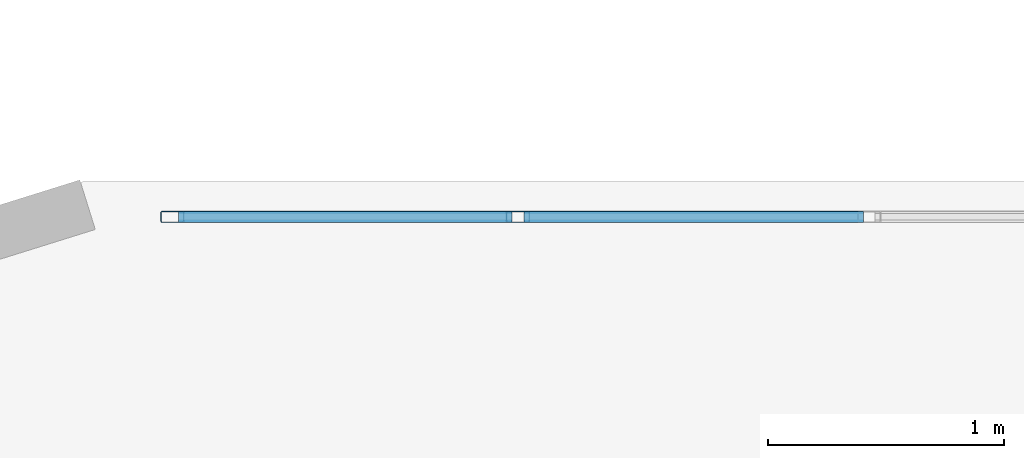
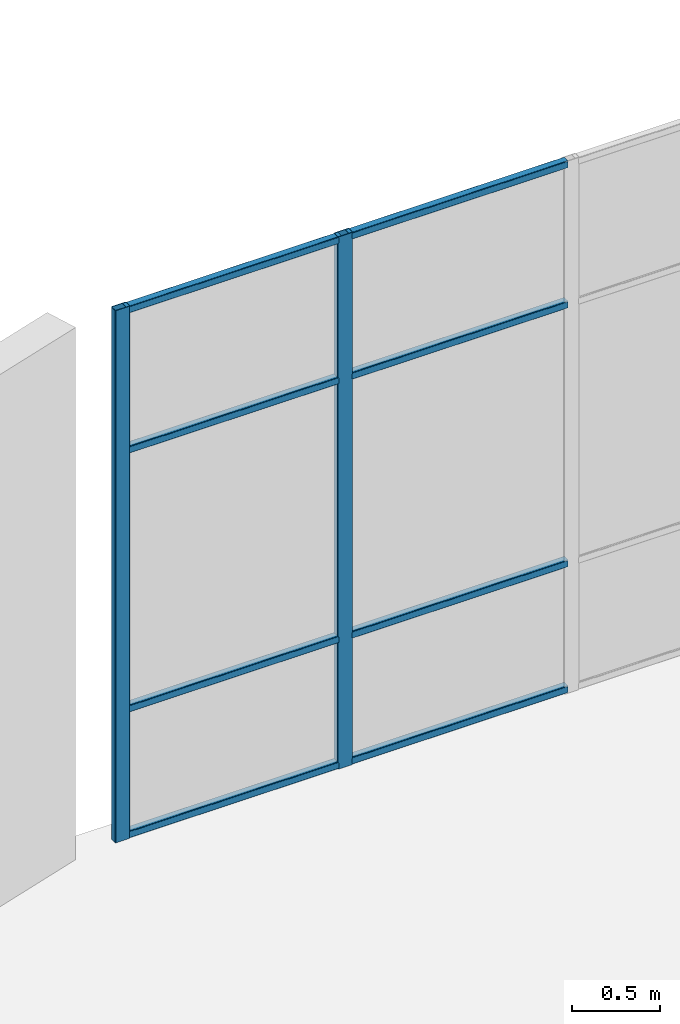
# One storey, part 4 of 65: 10 members, 1 element without a shape of its own.
"""IFC4 building model written with IfcOpenShell, lengths in metres."""

from ifc_helpers import new_model, si_unit, direction, frame, origin, origin_2d, place, context, subcontext, project, spatial, hollow_rectangle, extrude, material, layer, layer_set, material_profile, profile_set, type_object, element, aggregate, save


model = new_model("IFC4")

# Units and contexts
model_context = context("Model", 3, precision=1e-05, world=origin(), true_north=direction((0.0, 1.0)))
body_context = subcontext(model_context, "Body", "Model", "MODEL_VIEW")
ifc_project = project(units=[si_unit("LENGTHUNIT", "METRE"), si_unit("AREAUNIT", "SQUARE_METRE"), si_unit("VOLUMEUNIT", "CUBIC_METRE"), si_unit("PLANEANGLEUNIT", "RADIAN"), si_unit("MASSUNIT", "GRAM", prefix="KILO")], contexts=[model_context])

# Site, building, storey
site_placement = place(None, origin())
site = spatial("IfcSite", under=ifc_project, at=site_placement, CompositionType="ELEMENT")
building_placement = place(site_placement, origin())
building = spatial("IfcBuilding", under=site, at=building_placement, Name="Tuart Plaza Theatre", CompositionType="ELEMENT")
storey_placement = place(building_placement, frame((0.0, 0.0, 9.5)))
storey = spatial("IfcBuildingStorey", under=building, at=storey_placement, Name="L02", CompositionType="ELEMENT", Elevation=9.5)

# Curtain wall, members
ifc_material_1 = material(Name="Aluminium and glass", Category="aluminium")
ifc_layer = layer(ifc_material_1, 0.10009765625)
ifc_layer_set = layer_set([ifc_layer], Name="CURTAIN WALL 1500 module")
curtain_wall_type = type_object("IfcCurtainWallType", Name="CURTAIN WALL 1500 module", PredefinedType="NOTDEFINED", material=ifc_layer_set)
curtain_wall_placement = place(storey_placement, origin())
curtain_wall = element("IfcCurtainWall", 1, at=curtain_wall_placement, inside=storey, type_object=curtain_wall_type, Name="CW35", PredefinedType="NOTDEFINED")
ifc_material_2 = material(Name="Aluminium 6063-T5", Category="aluminium")
ifc_material_profile_1 = material_profile(ifc_material_2, hollow_rectangle(XDim=0.050048828125, YDim=0.10009765625, WallThickness=0.00390625, InnerFilletRadius=0.00390625, OuterFilletRadius=0.008056640625, at=origin_2d()), Name="RHS 100x50x4")
ifc_profile_set_1 = profile_set([ifc_material_profile_1], Name="Aluminium 6063-T5")
member_type_1 = type_object("IfcMemberType", Name="MULLION RHS 100x50x4", PredefinedType="MULLION", material=ifc_profile_set_1)
member_1_placement = place(storey_placement, frame((78.618896484375, 79.8369140625, 0.0), z_axis=(0.0, 0.0, 1.0), x_axis=(0.0, 1.0, 0.0)))
member_1 = element("IfcMember", 2, at=member_1_placement, type_object=member_type_1, Name="CW35 mullion 1", PredefinedType="MULLION", context=body_context, shape_type="SweptSolid", body=[
    extrude(hollow_rectangle(XDim=0.050048828125, YDim=0.10009765625, WallThickness=0.00390625, InnerFilletRadius=0.00390625, OuterFilletRadius=0.008056640625, at=origin_2d()), origin(), (0.0, 0.0, 1.0), 3.699951171875),
])
member_2_placement = place(storey_placement, frame((80.08349609375, 79.8369140625, 0.0), z_axis=(0.0, 0.0, 1.0), x_axis=(0.0, 1.0, 0.0)))
member_2 = element("IfcMember", 3, at=member_2_placement, type_object=member_type_1, Name="CW35 mullion 2", PredefinedType="MULLION", context=body_context, shape_type="SweptSolid", body=[
    extrude(hollow_rectangle(XDim=0.050048828125, YDim=0.10009765625, WallThickness=0.00390625, InnerFilletRadius=0.00390625, OuterFilletRadius=0.008056640625, at=origin_2d()), origin(), (0.0, 0.0, 1.0), 3.699951171875),
])
ifc_material_3 = material(Name="Aluminium 6063-T5", Category="aluminium")
ifc_material_profile_2 = material_profile(ifc_material_3, hollow_rectangle(XDim=0.050048828125, YDim=0.050048828125, WallThickness=0.00390625, InnerFilletRadius=0.00390625, OuterFilletRadius=0.008056640625, at=origin_2d()), Name="RHS 50x50x4")
ifc_profile_set_2 = profile_set([ifc_material_profile_2], Name="Aluminium 6063-T5")
member_type_2 = type_object("IfcMemberType", Name="TRANSOM RHS 50x50x4", PredefinedType="USERDEFINED", material=ifc_profile_set_2)
member_3_placement = place(storey_placement, frame((78.64404296875, 79.8369140625, 0.02490234375), z_axis=(1.0, 0.0, 0.0), x_axis=(0.0, 1.0, 0.0)))
member_3 = element("IfcMember", 4, at=member_3_placement, type_object=member_type_2, Name="CW35 transom 1.1", ObjectType="TRANSOM", PredefinedType="USERDEFINED", context=body_context, shape_type="SweptSolid", body=[
    extrude(hollow_rectangle(XDim=0.050048828125, YDim=0.050048828125, WallThickness=0.00390625, InnerFilletRadius=0.00390625, OuterFilletRadius=0.008056640625, at=origin_2d()), origin(), (0.0, 0.0, 1.0), 1.41455078125),
])
member_4_placement = place(storey_placement, frame((78.64404296875, 79.8369140625, 0.89990234375), z_axis=(1.0, 0.0, 0.0), x_axis=(0.0, 1.0, 0.0)))
member_4 = element("IfcMember", 5, at=member_4_placement, type_object=member_type_2, Name="CW35 transom 1.2", ObjectType="TRANSOM", PredefinedType="USERDEFINED", context=body_context, shape_type="SweptSolid", body=[
    extrude(hollow_rectangle(XDim=0.050048828125, YDim=0.050048828125, WallThickness=0.00390625, InnerFilletRadius=0.00390625, OuterFilletRadius=0.008056640625, at=origin_2d()), origin(), (0.0, 0.0, 1.0), 1.41455078125),
])
member_5_placement = place(storey_placement, frame((78.64404296875, 79.8369140625, 2.699951171875), z_axis=(1.0, 0.0, 0.0), x_axis=(0.0, 1.0, 0.0)))
member_5 = element("IfcMember", 6, at=member_5_placement, type_object=member_type_2, Name="CW35 transom 1.3", ObjectType="TRANSOM", PredefinedType="USERDEFINED", context=body_context, shape_type="SweptSolid", body=[
    extrude(hollow_rectangle(XDim=0.050048828125, YDim=0.050048828125, WallThickness=0.00390625, InnerFilletRadius=0.00390625, OuterFilletRadius=0.008056640625, at=origin_2d()), origin(), (0.0, 0.0, 1.0), 1.41455078125),
])
member_6_placement = place(storey_placement, frame((78.64404296875, 79.8369140625, 3.675048828125), z_axis=(1.0, 0.0, 0.0), x_axis=(0.0, 1.0, 0.0)))
member_6 = element("IfcMember", 7, at=member_6_placement, type_object=member_type_2, Name="CW35 transom 1.4", ObjectType="TRANSOM", PredefinedType="USERDEFINED", context=body_context, shape_type="SweptSolid", body=[
    extrude(hollow_rectangle(XDim=0.050048828125, YDim=0.050048828125, WallThickness=0.00390625, InnerFilletRadius=0.00390625, OuterFilletRadius=0.008056640625, at=origin_2d()), origin(), (0.0, 0.0, 1.0), 1.41455078125),
])
member_7_placement = place(storey_placement, frame((80.108642578125, 79.8369140625, 0.02490234375), z_axis=(1.0, 0.0, 0.0), x_axis=(0.0, 1.0, 0.0)))
member_7 = element("IfcMember", 8, at=member_7_placement, type_object=member_type_2, Name="CW35 transom 2.1", ObjectType="TRANSOM", PredefinedType="USERDEFINED", context=body_context, shape_type="SweptSolid", body=[
    extrude(hollow_rectangle(XDim=0.050048828125, YDim=0.050048828125, WallThickness=0.00390625, InnerFilletRadius=0.00390625, OuterFilletRadius=0.008056640625, at=origin_2d()), origin(), (0.0, 0.0, 1.0), 1.439453125),
])
member_8_placement = place(storey_placement, frame((80.108642578125, 79.8369140625, 0.89990234375), z_axis=(1.0, 0.0, 0.0), x_axis=(0.0, 1.0, 0.0)))
member_8 = element("IfcMember", 9, at=member_8_placement, type_object=member_type_2, Name="CW35 transom 2.2", ObjectType="TRANSOM", PredefinedType="USERDEFINED", context=body_context, shape_type="SweptSolid", body=[
    extrude(hollow_rectangle(XDim=0.050048828125, YDim=0.050048828125, WallThickness=0.00390625, InnerFilletRadius=0.00390625, OuterFilletRadius=0.008056640625, at=origin_2d()), origin(), (0.0, 0.0, 1.0), 1.439453125),
])
member_9_placement = place(storey_placement, frame((80.108642578125, 79.8369140625, 2.699951171875), z_axis=(1.0, 0.0, 0.0), x_axis=(0.0, 1.0, 0.0)))
member_9 = element("IfcMember", 10, at=member_9_placement, type_object=member_type_2, Name="CW35 transom 2.3", ObjectType="TRANSOM", PredefinedType="USERDEFINED", context=body_context, shape_type="SweptSolid", body=[
    extrude(hollow_rectangle(XDim=0.050048828125, YDim=0.050048828125, WallThickness=0.00390625, InnerFilletRadius=0.00390625, OuterFilletRadius=0.008056640625, at=origin_2d()), origin(), (0.0, 0.0, 1.0), 1.439453125),
])
member_10_placement = place(storey_placement, frame((80.108642578125, 79.8369140625, 3.675048828125), z_axis=(1.0, 0.0, 0.0), x_axis=(0.0, 1.0, 0.0)))
member_10 = element("IfcMember", 11, at=member_10_placement, type_object=member_type_2, Name="CW35 transom 2.4", ObjectType="TRANSOM", PredefinedType="USERDEFINED", context=body_context, shape_type="SweptSolid", body=[
    extrude(hollow_rectangle(XDim=0.050048828125, YDim=0.050048828125, WallThickness=0.00390625, InnerFilletRadius=0.00390625, OuterFilletRadius=0.008056640625, at=origin_2d()), origin(), (0.0, 0.0, 1.0), 1.439453125),
])
aggregate(curtain_wall, [member_1, member_2, member_3, member_4, member_5, member_6, member_7, member_8, member_9, member_10])

save(model, "model.ifc")
